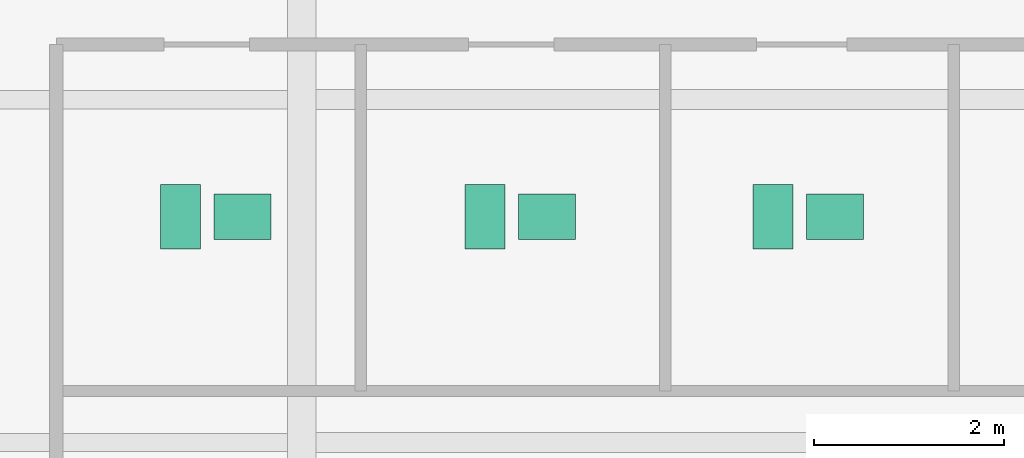
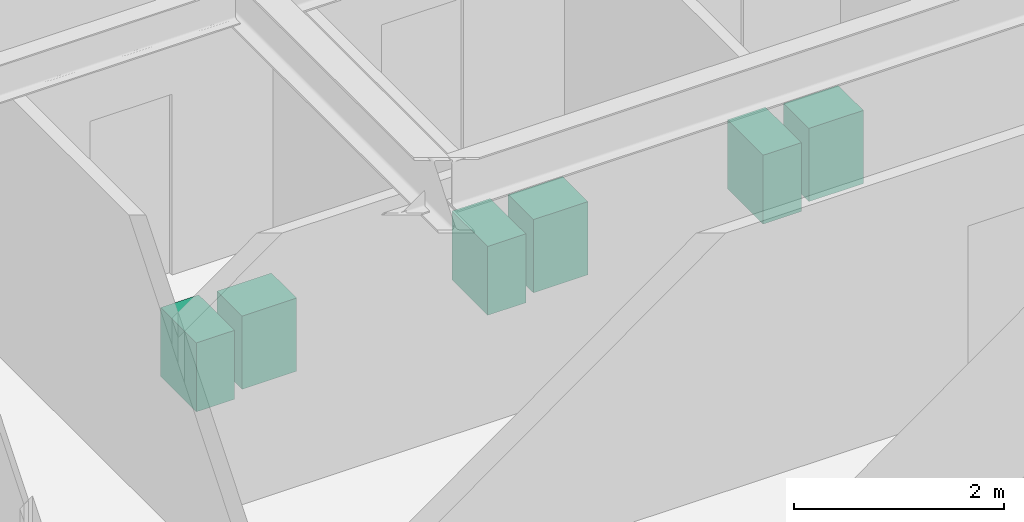
# One storey, part 29 of 29: 6 sanitary terminals.
"""IFC4 building model written with IfcOpenShell, lengths in metres."""

import ifcopenshell
import ifcopenshell.guid

model = None  # the IFC model being written
_history = None  # IfcOwnerHistory: only IFC2X3 demands one
_inside = {}  # id of a spatial element -> (the spatial element, [elements in it])
_under = {}  # id of a project, library or spatial element -> (it, [spatial elements below it])
_declared = {}  # id of a project -> (the project, [libraries it declares])
_typed = {}  # id of a type object -> (the type object, [elements of that type])
_made_of = {}  # id of a material, layer set ... -> (it, [elements and type objects made of it])


def new_model(schema):
    """Start an empty IFC model of exactly this schema.

    Asked for "IFC4X3", IfcOpenShell would pick the latest addendum, in which some entities
    have other attributes; the version numbers below select the first issue.
    IFC2X3 requires an IfcOwnerHistory on every rooted entity: one is made here for all.
    """
    global model, _history
    if schema == "IFC4X3":
        model = ifcopenshell.file(schema_version=(4, 3, 0, 0))
    else:
        model = ifcopenshell.file(schema=schema)
    _inside.clear()
    _under.clear()
    _declared.clear()
    _typed.clear()
    _made_of.clear()
    _history = None
    if model.schema == "IFC2X3":
        org = make("IfcOrganization", Name="unknown")
        user = make(
            "IfcPersonAndOrganization",
            ThePerson=make("IfcPerson", FamilyName="unknown"),
            TheOrganization=org,
        )
        app = make(
            "IfcApplication",
            ApplicationDeveloper=org,
            Version="unknown",
            ApplicationFullName="unknown",
            ApplicationIdentifier="unknown",
        )
        _history = make(
            "IfcOwnerHistory",
            OwningUser=user,
            OwningApplication=app,
            ChangeAction="ADDED",
            CreationDate=0,
        )
    return model


def make(cls, **values):
    """One entity of the class cls with the attributes given. An attribute that is None is left unset."""
    return model.create_entity(
        cls, **{name: value for name, value in values.items() if value is not None}
    )


def rooted(cls, **values):
    """An entity with a GlobalId (a new one), such as an element, a storey or a relation."""
    return make(cls, GlobalId=ifcopenshell.guid.new(), OwnerHistory=_history, **values)


def si_unit(unit_type, name, prefix=None):
    """IfcSIUnit, for example si_unit("LENGTHUNIT", "METRE", prefix="MILLI")."""
    return make("IfcSIUnit", UnitType=unit_type, Prefix=prefix, Name=name)


def assignment(units):
    """IfcUnitAssignment: the units of a project."""
    return None if units is None else make("IfcUnitAssignment", Units=units)


def point(xyz):
    """IfcCartesianPoint."""
    return None if xyz is None else make("IfcCartesianPoint", Coordinates=xyz)


def direction(xyz):
    """IfcDirection."""
    return None if xyz is None else make("IfcDirection", DirectionRatios=xyz)


def frame(location, z_axis=None, x_axis=None):
    """IfcAxis2Placement3D, a coordinate frame: its origin and axes. An axis left out is left unset."""
    return make(
        "IfcAxis2Placement3D",
        Location=point(location),
        Axis=direction(z_axis),
        RefDirection=direction(x_axis),
    )


def frame_2d(location, x_axis=None):
    """IfcAxis2Placement2D, a coordinate frame in the plane: its origin and x axis."""
    return make(
        "IfcAxis2Placement2D", Location=point(location), RefDirection=direction(x_axis)
    )


def origin():
    """The frame at (0, 0, 0) with its axes left unset."""
    return frame((0.0, 0.0, 0.0))


def origin_2d():
    """The frame at (0, 0) in the plane with its x axis left unset."""
    return frame_2d((0.0, 0.0))


def place(relative_to, where):
    """IfcLocalPlacement: puts the frame where relative to a parent placement (None: the world)."""
    return make(
        "IfcLocalPlacement", PlacementRelTo=relative_to, RelativePlacement=where
    )


def context(
    kind, dimensions, precision=None, world=None, true_north=None, identifier=None
):
    """IfcGeometricRepresentationContext, for example the 3D "Model" context."""
    return make(
        "IfcGeometricRepresentationContext",
        ContextIdentifier=identifier,
        ContextType=kind,
        CoordinateSpaceDimension=dimensions,
        Precision=precision,
        WorldCoordinateSystem=world,
        TrueNorth=true_north,
    )


def subcontext(parent, identifier, kind, view, scale=None):
    """IfcGeometricRepresentationSubContext, for example "Body" below "Model"."""
    return make(
        "IfcGeometricRepresentationSubContext",
        ContextIdentifier=identifier,
        ContextType=kind,
        ParentContext=parent,
        TargetScale=scale,
        TargetView=view,
    )


def project(units=None, contexts=None):
    """IfcProject with its units and contexts."""
    return rooted(
        "IfcProject",
        Name="project",
        RepresentationContexts=contexts,
        UnitsInContext=assignment(units),
    )


def spatial(cls, under=None, at=None, **own):
    """A site, building, storey or space (cls), placed at a placement, below another one or the project."""
    s = rooted(cls, ObjectPlacement=at, **own)
    if under is not None:
        _under.setdefault(under.id(), (under, []))[1].append(s)
    return s


def profile(cls, at=None, kind="AREA", **sizes):
    """A parametric profile (cls). Its sizes go by their IFC names, for example OverallWidth=200.0."""
    return make(cls, ProfileType=kind, Position=at, **sizes)


def rectangle(**sizes):
    """IfcRectangleProfileDef."""
    return profile("IfcRectangleProfileDef", **sizes)


def extrude(swept, where, along, depth):
    """IfcExtrudedAreaSolid: the profile swept, set in the frame where, extruded along a direction by depth."""
    return make(
        "IfcExtrudedAreaSolid",
        SweptArea=swept,
        Position=where,
        ExtrudedDirection=direction(along),
        Depth=depth,
    )


def shape(context_of_items, identifier, shape_type, items):
    """IfcShapeRepresentation: the items that make up one representation, for example the "Body"."""
    return make(
        "IfcShapeRepresentation",
        ContextOfItems=context_of_items,
        RepresentationIdentifier=identifier,
        RepresentationType=shape_type,
        Items=items,
    )


def source(mapping_origin, context_of_items, identifier, shape_type, items):
    """IfcRepresentationMap: a shape defined once, which mapped items show again and again."""
    return make(
        "IfcRepresentationMap",
        MappingOrigin=mapping_origin,
        MappedRepresentation=shape(context_of_items, identifier, shape_type, items),
    )


def transform(
    local_origin,
    x_axis=None,
    y_axis=None,
    z_axis=None,
    scale=None,
    scale2=None,
    scale3=None,
    uniform=True,
):
    """IfcCartesianTransformationOperator3D, or its non-uniform kind. x_axis, y_axis, z_axis: its Axis1, 2, 3."""
    if uniform:
        return make(
            "IfcCartesianTransformationOperator3D",
            Axis1=direction(x_axis),
            Axis2=direction(y_axis),
            LocalOrigin=point(local_origin),
            Scale=scale,
            Axis3=direction(z_axis),
        )
    return make(
        "IfcCartesianTransformationOperator3DnonUniform",
        Axis1=direction(x_axis),
        Axis2=direction(y_axis),
        LocalOrigin=point(local_origin),
        Scale=scale,
        Axis3=direction(z_axis),
        Scale2=scale2,
        Scale3=scale3,
    )


def mapped(mapping_source, mapping_target):
    """IfcMappedItem: shows the shape of a source again, moved by a transform."""
    return make(
        "IfcMappedItem", MappingSource=mapping_source, MappingTarget=mapping_target
    )


def material(Name=None, Category=None):
    """IfcMaterial."""
    return make("IfcMaterial", Name=Name, Category=Category)


def made_of(thing, what):
    """Note that an element or type object is made of a material, layer set ...; save() writes the relation."""
    if what is not None:
        _made_of.setdefault(what.id(), (what, []))[1].append(thing)
    return thing


def type_object(cls, material=None, **own):
    """A type object (cls), such as IfcWallType, which elements share."""
    return made_of(rooted(cls, **own), material)


def type_shapes(of_type, sources):
    """Give a type object the sources (RepresentationMaps) that its elements show as mapped items."""
    of_type.RepresentationMaps = sources


def element(
    cls,
    number,
    at=None,
    inside=None,
    cuts=None,
    type_object=None,
    material=None,
    context=None,
    identifier="Body",
    shape_type=None,
    held_by="IfcProductDefinitionShape",
    body=None,
    shapes=None,
    **own,
):
    """One element of the class cls, such as IfcWall. Its Tag is "e" and its number.

    at: its placement. inside: the storey or other place that contains it. cuts: it is an
    opening in that element (IfcRelVoidsElement). A single representation is given by context,
    identifier, shape_type and body (its items); several are given by shapes. held_by: the class
    of the entity that holds the representations. save() writes the other relations.
    """
    e = rooted(cls, Tag="e%d" % number, ObjectPlacement=at, **own)
    if body is not None:
        shapes = [shape(context, identifier, shape_type, body)]
    if shapes is not None:
        e.Representation = make(held_by, Representations=shapes)
    if inside is not None:
        _inside.setdefault(inside.id(), (inside, []))[1].append(e)
    if cuts is not None:
        rooted(
            "IfcRelVoidsElement", RelatingBuildingElement=cuts, RelatedOpeningElement=e
        )
    if type_object is not None:
        _typed.setdefault(type_object.id(), (type_object, []))[1].append(e)
    return made_of(e, material)


def aggregate(whole, parts):
    """IfcRelAggregates: a whole, such as a stair, and the parts it consists of."""
    return rooted("IfcRelAggregates", RelatingObject=whole, RelatedObjects=parts)


def save(model, path):
    """Write the relations noted so far, then the file.

    IfcRelAggregates (storeys below a building ...), IfcRelContainedInSpatialStructure (elements
    in a storey), IfcRelDefinesByType, IfcRelAssociatesMaterial and IfcRelDeclares: one each for
    every whole, place, type object, material and project.
    """
    for whole, parts in _under.values():
        aggregate(whole, parts)
    for where, things in _inside.values():
        rooted(
            "IfcRelContainedInSpatialStructure",
            RelatedElements=things,
            RelatingStructure=where,
        )
    for kind, things in _typed.values():
        rooted("IfcRelDefinesByType", RelatedObjects=things, RelatingType=kind)
    for what, things in _made_of.values():
        rooted("IfcRelAssociatesMaterial", RelatedObjects=things, RelatingMaterial=what)
    for by, libraries in _declared.values():
        rooted("IfcRelDeclares", RelatingContext=by, RelatedDefinitions=libraries)
    model.write(path)


model = new_model("IFC4")

# Units and contexts
model_context = context("Model", 3, precision=1e-05, world=origin(), true_north=direction((0.0, 1.0)))
body_context = subcontext(model_context, "Body", "Model", "MODEL_VIEW")
ifc_project = project(units=[si_unit("LENGTHUNIT", "METRE"), si_unit("AREAUNIT", "SQUARE_METRE"), si_unit("VOLUMEUNIT", "CUBIC_METRE"), si_unit("PLANEANGLEUNIT", "RADIAN"), si_unit("MASSUNIT", "GRAM", prefix="KILO")], contexts=[model_context])

# Site, building, storey
site_placement = place(None, origin())
site = spatial("IfcSite", under=ifc_project, at=site_placement, CompositionType="ELEMENT")
building_placement = place(site_placement, origin())
building = spatial("IfcBuilding", under=site, at=building_placement, Name="Krantzveldt Concourse Tower", CompositionType="ELEMENT")
storey_placement = place(building_placement, frame((0.0, 0.0, 76.35009765625)))
storey = spatial("IfcBuildingStorey", under=building, at=storey_placement, Name="L18", CompositionType="ELEMENT", Elevation=76.35009765625)

# Sanitary terminals
ifc_material = material(Name="Vitreous china", Category="ceramic")
sanitary_terminal_type_1 = type_object("IfcSanitaryTerminalType", Name="SAN-WC-SUITE", PredefinedType="TOILETPAN", material=ifc_material)
shared_shape_1 = source(origin(), body_context, "Body", "SweptSolid", [
    extrude(rectangle(XDim=0.419921875, YDim=0.679931640625, at=origin_2d()), origin(), (0.0, 0.0, 1.0), 0.800048828125),
])
type_shapes(sanitary_terminal_type_1, [shared_shape_1])
for number, where, z_axis, x_axis, name in (
    (1, (29.324951171875, 32.570068359375, 0.0), (0.0, 0.0, 1.0), (1.0, 0.0, 0.0), "WC-SP-L18-WCM"),
    (2, (32.52490234375, 32.570068359375, 0.0), (0.0, 0.0, 1.0), (1.0, 0.0, 0.0), "WC-SP-L18-WCF"),
    (3, (35.550048828125, 32.570068359375, 0.0), (0.0, 0.0, 1.0), (1.0, 0.0, 0.0), "WC-SP-L18-WCA"),
):
    element("IfcSanitaryTerminal", number, at=place(storey_placement, frame(where, z_axis=z_axis, x_axis=x_axis)), inside=storey, type_object=sanitary_terminal_type_1, Name=name, PredefinedType="TOILETPAN", context=body_context, shape_type="MappedRepresentation", body=[
        mapped(shared_shape_1, transform((0.0, 0.0, 0.0), x_axis=(1.0, 0.0, 0.0), y_axis=(0.0, 1.0, 0.0), z_axis=(0.0, 0.0, 1.0), scale=1.0)),
    ])
sanitary_terminal_type_2 = type_object("IfcSanitaryTerminalType", Name="SAN-BASIN-600", PredefinedType="WASHHANDBASIN", material=ifc_material)
shared_shape_2 = source(origin(), body_context, "Body", "SweptSolid", [
    extrude(rectangle(XDim=0.60009765625, YDim=0.47998046875, at=origin_2d()), origin(), (0.0, 0.0, 1.0), 0.85009765625),
])
type_shapes(sanitary_terminal_type_2, [shared_shape_2])
for number, where, z_axis, x_axis, name in (
    (4, (29.97509765625, 32.570068359375, 0.0048828125), (0.0, 0.0, 1.0), (1.0, 0.0, 0.0), "BSN-SP-L18-WCM"),
    (5, (33.175048828125, 32.570068359375, 0.0048828125), (0.0, 0.0, 1.0), (1.0, 0.0, 0.0), "BSN-SP-L18-WCF"),
    (6, (36.199951171875, 32.570068359375, 0.0048828125), (0.0, 0.0, 1.0), (1.0, 0.0, 0.0), "BSN-SP-L18-WCA"),
):
    element("IfcSanitaryTerminal", number, at=place(storey_placement, frame(where, z_axis=z_axis, x_axis=x_axis)), inside=storey, type_object=sanitary_terminal_type_2, Name=name, PredefinedType="WASHHANDBASIN", context=body_context, shape_type="MappedRepresentation", body=[
        mapped(shared_shape_2, transform((0.0, 0.0, 0.0), x_axis=(1.0, 0.0, 0.0), y_axis=(0.0, 1.0, 0.0), z_axis=(0.0, 0.0, 1.0), scale=1.0)),
    ])

save(model, "model.ifc")
